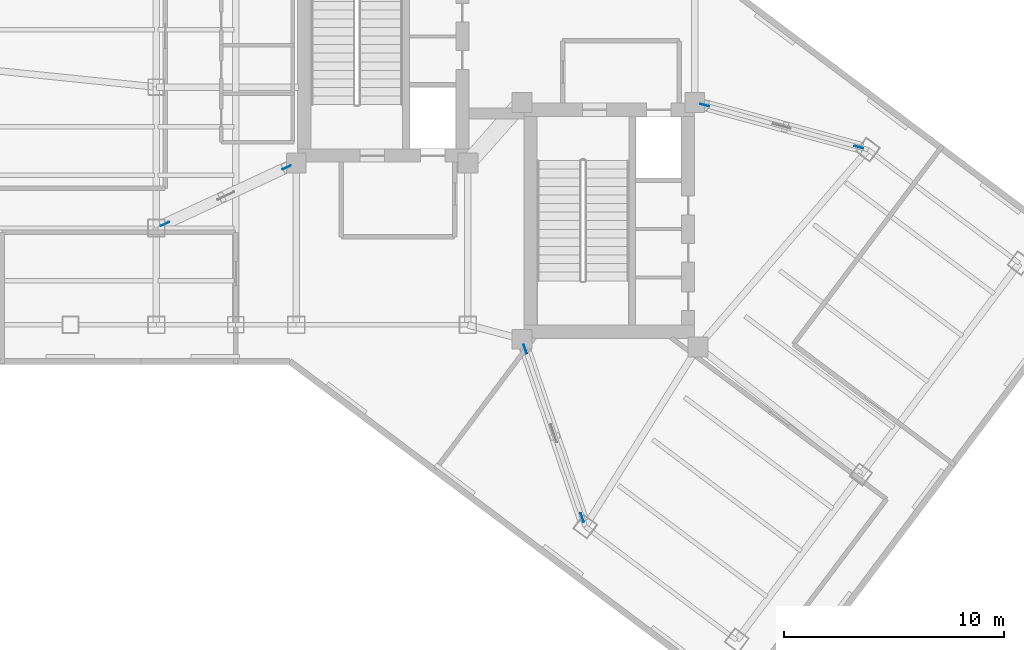
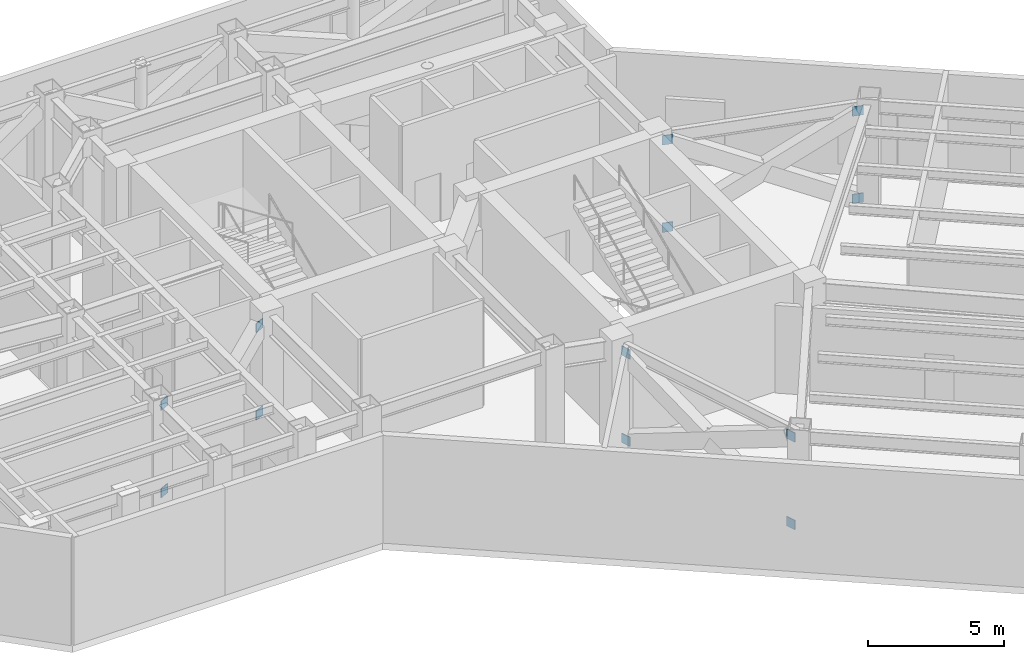
# One storey, part 5 of 12: 12 plates.
"""IFC4 building model written with IfcOpenShell, lengths in metres."""

from ifc_helpers import new_model, si_unit, direction, frame, origin, origin_2d, place, context, subcontext, project, spatial, rectangle, extrude, material, layer, layer_set, type_object, element, save


model = new_model("IFC4")

# Units and contexts
model_context = context("Model", 3, precision=1e-05, world=origin(), true_north=direction((0.0, 1.0)))
body_context = subcontext(model_context, "Body", "Model", "MODEL_VIEW")
ifc_project = project(units=[si_unit("LENGTHUNIT", "METRE"), si_unit("AREAUNIT", "SQUARE_METRE"), si_unit("VOLUMEUNIT", "CUBIC_METRE"), si_unit("PLANEANGLEUNIT", "RADIAN"), si_unit("MASSUNIT", "GRAM", prefix="KILO")], contexts=[model_context])

# Site, building, storey
site_placement = place(None, origin())
site = spatial("IfcSite", under=ifc_project, at=site_placement, CompositionType="ELEMENT")
building_placement = place(site_placement, origin())
building = spatial("IfcBuilding", under=site, at=building_placement, Name="Hatsunagi Terrace Concourse", CompositionType="ELEMENT")
storey_placement = place(building_placement, frame((0.0, 0.0, 181.64990234375)))
storey = spatial("IfcBuildingStorey", under=building, at=storey_placement, Name="L48", CompositionType="ELEMENT", Elevation=181.64990234375)

# Plates
ifc_material = material(Name="Steel SN490C", Category="steel")
ifc_layer = layer(ifc_material, 0.031982421875)
ifc_layer_set = layer_set([ifc_layer], Name="XBraceNodeCapPlate_32")
plate_type = type_object("IfcPlateType", Name="XBraceNodeCapPlate_32", PredefinedType="USERDEFINED", material=ifc_layer_set)
for number, where, z_axis, x_axis, name in (
    (1, (25.115966796875, 32.34912109375, 0.250244140625), (0.0, 0.0, 1.0), (-0.906911697231, -0.421320748867, 0.0), "Cast-In Core and Node Embed Plate GP-02 EP-OUT-L48-1-AB"),
    (2, (25.115966796875, 32.34912109375, 4.18017578125), (0.0, 0.0, 1.0), (-0.906911697231, -0.421320748867, 0.0), "Cast-In Core and Node Embed Plate GP-02 EP-OUT-L48-1-AT"),
    (3, (19.587890625, 29.780029296875, 0.250244140625), (0.0, 0.0, 1.0), (-0.906911697231, -0.421320748867, 0.0), "Cast-In Core and Node Embed Plate GP-02 EP-OUT-L48-1-BB"),
    (4, (19.587890625, 29.780029296875, 4.18017578125), (0.0, 0.0, 1.0), (-0.906911697231, -0.421320748867, 0.0), "Cast-In Core and Node Embed Plate GP-02 EP-OUT-L48-1-BT"),
    (5, (35.952880859375, 24.096923828125, 0.250244140625), (0.0, 0.0, 1.0), (0.320565047555, -0.947226504214, 0.0), "Cast-In Core and Node Embed Plate GP-02 EP-OUT-L48-5-AB"),
    (6, (35.952880859375, 24.096923828125, 4.18017578125), (0.0, 0.0, 1.0), (0.320565047555, -0.947226504214, 0.0), "Cast-In Core and Node Embed Plate GP-02 EP-OUT-L48-5-AT"),
    (7, (38.54296875, 16.445068359375, 0.250244140625), (0.0, 0.0, 1.0), (0.320565047555, -0.947226504214, 0.0), "Cast-In Core and Node Embed Plate GP-02 EP-OUT-L48-5-BB"),
    (8, (38.54296875, 16.445068359375, 4.18017578125), (0.0, 0.0, 1.0), (0.320565047555, -0.947226504214, 0.0), "Cast-In Core and Node Embed Plate GP-02 EP-OUT-L48-5-BT"),
    (9, (44.111083984375, 35.175048828125, 0.250244140625), (0.0, 0.0, 1.0), (0.964961560534, -0.262391285471, 0.0), "Cast-In Core and Node Embed Plate GP-02 EP-OUT-L48-6-AB"),
    (10, (44.111083984375, 35.175048828125, 4.18017578125), (0.0, 0.0, 1.0), (0.964961560534, -0.262391285471, 0.0), "Cast-In Core and Node Embed Plate GP-02 EP-OUT-L48-6-AT"),
    (11, (51.10693359375, 33.27197265625, 0.250244140625), (0.0, 0.0, 1.0), (0.964961560534, -0.262391285471, 0.0), "Cast-In Core and Node Embed Plate GP-02 EP-OUT-L48-6-BB"),
    (12, (51.10693359375, 33.27197265625, 4.18017578125), (0.0, 0.0, 1.0), (0.964961560534, -0.262391285471, 0.0), "Cast-In Core and Node Embed Plate GP-02 EP-OUT-L48-6-BT"),
):
    element("IfcPlate", number, at=place(storey_placement, frame(where, z_axis=z_axis, x_axis=x_axis)), inside=storey, type_object=plate_type, Name=name, ObjectType="GUSSET_PLATE", PredefinedType="USERDEFINED", context=body_context, shape_type="SweptSolid", body=[
        extrude(rectangle(XDim=0.419921875, YDim=0.031982421875, at=origin_2d()), origin(), (0.0, 0.0, 1.0), 0.419921875),
    ])

save(model, "model.ifc")
